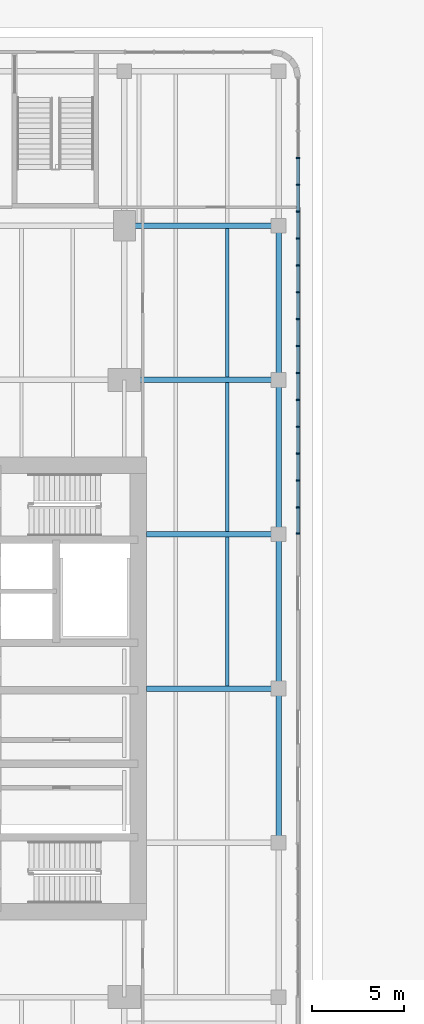
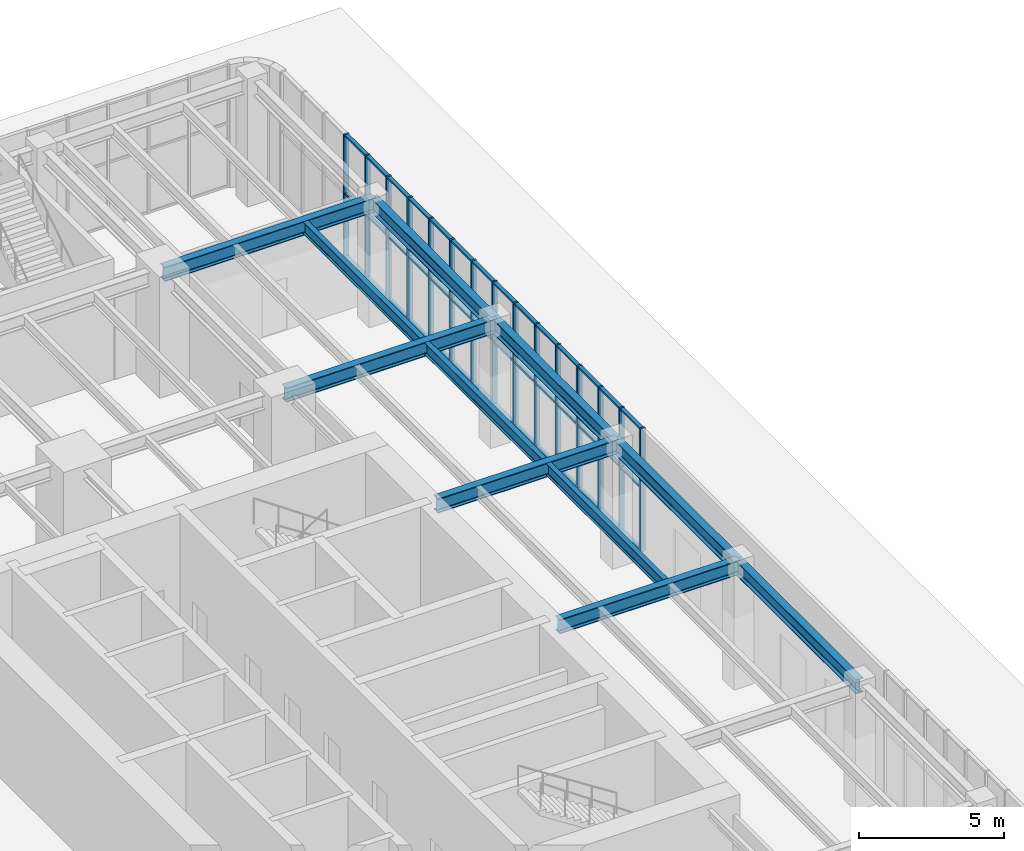
# One storey, part 10 of 31: 57 members, 11 beams, 1 element without a shape of its own.
"""IFC4 building model written with IfcOpenShell, lengths in metres."""

import ifcopenshell
import ifcopenshell.guid

model = None  # the IFC model being written
_history = None  # IfcOwnerHistory: only IFC2X3 demands one
_inside = {}  # id of a spatial element -> (the spatial element, [elements in it])
_under = {}  # id of a project, library or spatial element -> (it, [spatial elements below it])
_declared = {}  # id of a project -> (the project, [libraries it declares])
_typed = {}  # id of a type object -> (the type object, [elements of that type])
_made_of = {}  # id of a material, layer set ... -> (it, [elements and type objects made of it])


def new_model(schema):
    """Start an empty IFC model of exactly this schema.

    Asked for "IFC4X3", IfcOpenShell would pick the latest addendum, in which some entities
    have other attributes; the version numbers below select the first issue.
    IFC2X3 requires an IfcOwnerHistory on every rooted entity: one is made here for all.
    """
    global model, _history
    if schema == "IFC4X3":
        model = ifcopenshell.file(schema_version=(4, 3, 0, 0))
    else:
        model = ifcopenshell.file(schema=schema)
    _inside.clear()
    _under.clear()
    _declared.clear()
    _typed.clear()
    _made_of.clear()
    _history = None
    if model.schema == "IFC2X3":
        org = make("IfcOrganization", Name="unknown")
        user = make(
            "IfcPersonAndOrganization",
            ThePerson=make("IfcPerson", FamilyName="unknown"),
            TheOrganization=org,
        )
        app = make(
            "IfcApplication",
            ApplicationDeveloper=org,
            Version="unknown",
            ApplicationFullName="unknown",
            ApplicationIdentifier="unknown",
        )
        _history = make(
            "IfcOwnerHistory",
            OwningUser=user,
            OwningApplication=app,
            ChangeAction="ADDED",
            CreationDate=0,
        )
    return model


def make(cls, **values):
    """One entity of the class cls with the attributes given. An attribute that is None is left unset."""
    return model.create_entity(
        cls, **{name: value for name, value in values.items() if value is not None}
    )


def rooted(cls, **values):
    """An entity with a GlobalId (a new one), such as an element, a storey or a relation."""
    return make(cls, GlobalId=ifcopenshell.guid.new(), OwnerHistory=_history, **values)


def si_unit(unit_type, name, prefix=None):
    """IfcSIUnit, for example si_unit("LENGTHUNIT", "METRE", prefix="MILLI")."""
    return make("IfcSIUnit", UnitType=unit_type, Prefix=prefix, Name=name)


def assignment(units):
    """IfcUnitAssignment: the units of a project."""
    return None if units is None else make("IfcUnitAssignment", Units=units)


def point(xyz):
    """IfcCartesianPoint."""
    return None if xyz is None else make("IfcCartesianPoint", Coordinates=xyz)


def direction(xyz):
    """IfcDirection."""
    return None if xyz is None else make("IfcDirection", DirectionRatios=xyz)


def frame(location, z_axis=None, x_axis=None):
    """IfcAxis2Placement3D, a coordinate frame: its origin and axes. An axis left out is left unset."""
    return make(
        "IfcAxis2Placement3D",
        Location=point(location),
        Axis=direction(z_axis),
        RefDirection=direction(x_axis),
    )


def frame_2d(location, x_axis=None):
    """IfcAxis2Placement2D, a coordinate frame in the plane: its origin and x axis."""
    return make(
        "IfcAxis2Placement2D", Location=point(location), RefDirection=direction(x_axis)
    )


def origin():
    """The frame at (0, 0, 0) with its axes left unset."""
    return frame((0.0, 0.0, 0.0))


def origin_2d():
    """The frame at (0, 0) in the plane with its x axis left unset."""
    return frame_2d((0.0, 0.0))


def place(relative_to, where):
    """IfcLocalPlacement: puts the frame where relative to a parent placement (None: the world)."""
    return make(
        "IfcLocalPlacement", PlacementRelTo=relative_to, RelativePlacement=where
    )


def context(
    kind, dimensions, precision=None, world=None, true_north=None, identifier=None
):
    """IfcGeometricRepresentationContext, for example the 3D "Model" context."""
    return make(
        "IfcGeometricRepresentationContext",
        ContextIdentifier=identifier,
        ContextType=kind,
        CoordinateSpaceDimension=dimensions,
        Precision=precision,
        WorldCoordinateSystem=world,
        TrueNorth=true_north,
    )


def subcontext(parent, identifier, kind, view, scale=None):
    """IfcGeometricRepresentationSubContext, for example "Body" below "Model"."""
    return make(
        "IfcGeometricRepresentationSubContext",
        ContextIdentifier=identifier,
        ContextType=kind,
        ParentContext=parent,
        TargetScale=scale,
        TargetView=view,
    )


def project(units=None, contexts=None):
    """IfcProject with its units and contexts."""
    return rooted(
        "IfcProject",
        Name="project",
        RepresentationContexts=contexts,
        UnitsInContext=assignment(units),
    )


def spatial(cls, under=None, at=None, **own):
    """A site, building, storey or space (cls), placed at a placement, below another one or the project."""
    s = rooted(cls, ObjectPlacement=at, **own)
    if under is not None:
        _under.setdefault(under.id(), (under, []))[1].append(s)
    return s


def profile(cls, at=None, kind="AREA", **sizes):
    """A parametric profile (cls). Its sizes go by their IFC names, for example OverallWidth=200.0."""
    return make(cls, ProfileType=kind, Position=at, **sizes)


def rectangle(**sizes):
    """IfcRectangleProfileDef."""
    return profile("IfcRectangleProfileDef", **sizes)


def i_section(**sizes):
    """IfcIShapeProfileDef."""
    return profile("IfcIShapeProfileDef", **sizes)


def extrude(swept, where, along, depth):
    """IfcExtrudedAreaSolid: the profile swept, set in the frame where, extruded along a direction by depth."""
    return make(
        "IfcExtrudedAreaSolid",
        SweptArea=swept,
        Position=where,
        ExtrudedDirection=direction(along),
        Depth=depth,
    )


def shape(context_of_items, identifier, shape_type, items):
    """IfcShapeRepresentation: the items that make up one representation, for example the "Body"."""
    return make(
        "IfcShapeRepresentation",
        ContextOfItems=context_of_items,
        RepresentationIdentifier=identifier,
        RepresentationType=shape_type,
        Items=items,
    )


def material(Name=None, Category=None):
    """IfcMaterial."""
    return make("IfcMaterial", Name=Name, Category=Category)


def material_profile(
    of_material, cross_section, Name=None, Category=None, Priority=None
):
    """IfcMaterialProfile: a cross section and its material."""
    return make(
        "IfcMaterialProfile",
        Name=Name,
        Material=of_material,
        Profile=cross_section,
        Priority=Priority,
        Category=Category,
    )


def profile_set(profiles, Name=None, composite=None):
    """IfcMaterialProfileSet."""
    return make(
        "IfcMaterialProfileSet",
        Name=Name,
        MaterialProfiles=profiles,
        CompositeProfile=composite,
    )


def made_of(thing, what):
    """Note that an element or type object is made of a material, layer set ...; save() writes the relation."""
    if what is not None:
        _made_of.setdefault(what.id(), (what, []))[1].append(thing)
    return thing


def type_object(cls, material=None, **own):
    """A type object (cls), such as IfcWallType, which elements share."""
    return made_of(rooted(cls, **own), material)


def element(
    cls,
    number,
    at=None,
    inside=None,
    cuts=None,
    type_object=None,
    material=None,
    context=None,
    identifier="Body",
    shape_type=None,
    held_by="IfcProductDefinitionShape",
    body=None,
    shapes=None,
    **own,
):
    """One element of the class cls, such as IfcWall. Its Tag is "e" and its number.

    at: its placement. inside: the storey or other place that contains it. cuts: it is an
    opening in that element (IfcRelVoidsElement). A single representation is given by context,
    identifier, shape_type and body (its items); several are given by shapes. held_by: the class
    of the entity that holds the representations. save() writes the other relations.
    """
    e = rooted(cls, Tag="e%d" % number, ObjectPlacement=at, **own)
    if body is not None:
        shapes = [shape(context, identifier, shape_type, body)]
    if shapes is not None:
        e.Representation = make(held_by, Representations=shapes)
    if inside is not None:
        _inside.setdefault(inside.id(), (inside, []))[1].append(e)
    if cuts is not None:
        rooted(
            "IfcRelVoidsElement", RelatingBuildingElement=cuts, RelatedOpeningElement=e
        )
    if type_object is not None:
        _typed.setdefault(type_object.id(), (type_object, []))[1].append(e)
    return made_of(e, material)


def aggregate(whole, parts):
    """IfcRelAggregates: a whole, such as a stair, and the parts it consists of."""
    return rooted("IfcRelAggregates", RelatingObject=whole, RelatedObjects=parts)


def save(model, path):
    """Write the relations noted so far, then the file.

    IfcRelAggregates (storeys below a building ...), IfcRelContainedInSpatialStructure (elements
    in a storey), IfcRelDefinesByType, IfcRelAssociatesMaterial and IfcRelDeclares: one each for
    every whole, place, type object, material and project.
    """
    for whole, parts in _under.values():
        aggregate(whole, parts)
    for where, things in _inside.values():
        rooted(
            "IfcRelContainedInSpatialStructure",
            RelatedElements=things,
            RelatingStructure=where,
        )
    for kind, things in _typed.values():
        rooted("IfcRelDefinesByType", RelatedObjects=things, RelatingType=kind)
    for what, things in _made_of.values():
        rooted("IfcRelAssociatesMaterial", RelatedObjects=things, RelatingMaterial=what)
    for by, libraries in _declared.values():
        rooted("IfcRelDeclares", RelatingContext=by, RelatedDefinitions=libraries)
    model.write(path)


model = new_model("IFC4")

# Units and contexts
model_context = context("Model", 3, precision=1e-05, world=origin(), true_north=direction((0.0, 1.0)))
body_context = subcontext(model_context, "Body", "Model", "MODEL_VIEW")
ifc_project = project(units=[si_unit("LENGTHUNIT", "METRE"), si_unit("AREAUNIT", "SQUARE_METRE"), si_unit("VOLUMEUNIT", "CUBIC_METRE"), si_unit("PLANEANGLEUNIT", "RADIAN"), si_unit("MASSUNIT", "GRAM", prefix="KILO")], contexts=[model_context])

# Site, building, storey
site_placement = place(None, origin())
site = spatial("IfcSite", under=ifc_project, at=site_placement, CompositionType="ELEMENT")
building_placement = place(site_placement, origin())
building = spatial("IfcBuilding", under=site, at=building_placement, Name="Claustro Exchange Tower", CompositionType="ELEMENT")
storey_placement = place(building_placement, origin())
storey = spatial("IfcBuildingStorey", under=building, at=storey_placement, Name="L00", CompositionType="ELEMENT", Elevation=0.0)

# Beams
ifc_material_1 = material(Name="Steel S355", Category="steel")
ifc_material_profile_1 = material_profile(ifc_material_1, i_section(OverallWidth=0.300048828125, OverallDepth=0.60009765625, WebThickness=0.015380859375, FlangeThickness=0.030029296875, FilletRadius=0.027099609375, at=origin_2d()), Name="HE 600 B")
ifc_profile_set_1 = profile_set([ifc_material_profile_1], Name="Steel S355")
beam_type_1 = type_object("IfcBeamType", Name="B1 HE 600 B floor girder", PredefinedType="BEAM", material=ifc_profile_set_1)
beam_1_placement = place(storey_placement, frame((58.800048828125, 16.800048828125, 4.89990234375), z_axis=(0.0, 1.0, 0.0), x_axis=(-1.0, 0.0, 0.0)))
element("IfcBeam", 1, at=beam_1_placement, inside=storey, type_object=beam_type_1, Name="Beam B1 L01", PredefinedType="BEAM", context=body_context, shape_type="SweptSolid", body=[
    extrude(i_section(OverallWidth=0.300048828125, OverallDepth=0.60009765625, WebThickness=0.015380859375, FlangeThickness=0.030029296875, FilletRadius=0.027099609375, at=origin_2d()), origin(), (0.0, 0.0, 1.0), 8.39990234375),
])
beam_2_placement = place(storey_placement, frame((58.800048828125, 25.199951171875, 4.89990234375), z_axis=(0.0, 1.0, 0.0), x_axis=(-1.0, 0.0, 0.0)))
element("IfcBeam", 2, at=beam_2_placement, inside=storey, type_object=beam_type_1, Name="Beam B1 L01", PredefinedType="BEAM", context=body_context, shape_type="SweptSolid", body=[
    extrude(i_section(OverallWidth=0.300048828125, OverallDepth=0.60009765625, WebThickness=0.015380859375, FlangeThickness=0.030029296875, FilletRadius=0.027099609375, at=origin_2d()), origin(), (0.0, 0.0, 1.0), 8.400146484375),
])
for number, where, z_axis, x_axis, name in (
    (3, (58.800048828125, 33.60009765625, 4.89990234375), (0.0, 1.0, 0.0), (-1.0, 0.0, 0.0), "Beam B1 L01"),
    (4, (58.800048828125, 42.0, 4.89990234375), (0.0, 1.0, 0.0), (-1.0, 0.0, 0.0), "Beam B1 L01"),
):
    element("IfcBeam", number, at=place(storey_placement, frame(where, z_axis=z_axis, x_axis=x_axis)), inside=storey, type_object=beam_type_1, Name=name, PredefinedType="BEAM", context=body_context, shape_type="SweptSolid", body=[
        extrude(i_section(OverallWidth=0.300048828125, OverallDepth=0.60009765625, WebThickness=0.015380859375, FlangeThickness=0.030029296875, FilletRadius=0.027099609375, at=origin_2d()), origin(), (0.0, 0.0, 1.0), 8.39990234375),
    ])
for number, where, z_axis, x_axis, name in (
    (5, (51.60009765625, 25.199951171875, 4.89990234375), (1.0, 0.0, 0.0), (0.0, 1.0, 0.0), "Beam B1 L01"),
    (6, (51.60009765625, 33.60009765625, 4.89990234375), (1.0, 0.0, 0.0), (0.0, 1.0, 0.0), "Beam B1 L01"),
):
    element("IfcBeam", number, at=place(storey_placement, frame(where, z_axis=z_axis, x_axis=x_axis)), inside=storey, type_object=beam_type_1, Name=name, PredefinedType="BEAM", context=body_context, shape_type="SweptSolid", body=[
        extrude(i_section(OverallWidth=0.300048828125, OverallDepth=0.60009765625, WebThickness=0.015380859375, FlangeThickness=0.030029296875, FilletRadius=0.027099609375, at=origin_2d()), origin(), (0.0, 0.0, 1.0), 7.199951171875),
    ])
for number, where, z_axis, x_axis, name in (
    (7, (50.39990234375, 42.0, 4.89990234375), (1.0, 0.0, 0.0), (0.0, 1.0, 0.0), "Beam B1 L01"),
    (8, (50.39990234375, 50.39990234375, 4.89990234375), (1.0, 0.0, 0.0), (0.0, 1.0, 0.0), "Beam B1 L01"),
):
    element("IfcBeam", number, at=place(storey_placement, frame(where, z_axis=z_axis, x_axis=x_axis)), inside=storey, type_object=beam_type_1, Name=name, PredefinedType="BEAM", context=body_context, shape_type="SweptSolid", body=[
        extrude(i_section(OverallWidth=0.300048828125, OverallDepth=0.60009765625, WebThickness=0.015380859375, FlangeThickness=0.030029296875, FilletRadius=0.027099609375, at=origin_2d()), origin(), (0.0, 0.0, 1.0), 8.400146484375),
    ])
ifc_material_2 = material(Name="Steel S355", Category="steel")
ifc_material_profile_2 = material_profile(ifc_material_2, i_section(OverallWidth=0.199951171875, OverallDepth=0.5, WebThickness=0.01025390625, FlangeThickness=0.01611328125, FilletRadius=0.02099609375, at=origin_2d()), Name="IPE 500")
ifc_profile_set_2 = profile_set([ifc_material_profile_2], Name="Steel S355")
beam_type_2 = type_object("IfcBeamType", Name="B2 IPE 500 secondary beam", PredefinedType="BEAM", material=ifc_profile_set_2)
beam_3_placement = place(storey_placement, frame((56.0, 25.35009765625, 4.949951171875), z_axis=(0.0, 1.0, 0.0), x_axis=(-1.0, 0.0, 0.0)))
element("IfcBeam", 9, at=beam_3_placement, inside=storey, type_object=beam_type_2, Name="Beam B2 L01", PredefinedType="BEAM", context=body_context, shape_type="SweptSolid", body=[
    extrude(i_section(OverallWidth=0.199951171875, OverallDepth=0.5, WebThickness=0.01025390625, FlangeThickness=0.01611328125, FilletRadius=0.02099609375, at=origin_2d()), origin(), (0.0, 0.0, 1.0), 8.099853515625),
])
for number, where, z_axis, x_axis, name in (
    (10, (56.0, 33.75, 4.949951171875), (0.0, 1.0, 0.0), (-1.0, 0.0, 0.0), "Beam B2 L01"),
    (11, (56.0, 42.14990234375, 4.949951171875), (0.0, 1.0, 0.0), (-1.0, 0.0, 0.0), "Beam B2 L01"),
):
    element("IfcBeam", number, at=place(storey_placement, frame(where, z_axis=z_axis, x_axis=x_axis)), inside=storey, type_object=beam_type_2, Name=name, PredefinedType="BEAM", context=body_context, shape_type="SweptSolid", body=[
        extrude(i_section(OverallWidth=0.199951171875, OverallDepth=0.5, WebThickness=0.01025390625, FlangeThickness=0.01611328125, FilletRadius=0.02099609375, at=origin_2d()), origin(), (0.0, 0.0, 1.0), 8.10009765625),
    ])

# Curtain wall, members
ifc_material_3 = material(Name="Aluminium frame, clear double glazing", Category="aluminium")
curtain_wall_type = type_object("IfcCurtainWallType", Name="CW1 storefront curtain wall", PredefinedType="USERDEFINED", material=ifc_material_3)
curtain_wall_placement = place(storey_placement, origin())
curtain_wall = element("IfcCurtainWall", 12, at=curtain_wall_placement, inside=storey, type_object=curtain_wall_type, Name="Curtain wall CW1 L00", ObjectType="STICK CURTAIN WALL", PredefinedType="USERDEFINED")
ifc_material_4 = material(Name="Aluminium mullion", Category="aluminium")
ifc_material_profile_3 = material_profile(ifc_material_4, rectangle(XDim=0.199951171875, YDim=0.074951171875, at=origin_2d()), Name="CW1-M 75x200")
ifc_profile_set_3 = profile_set([ifc_material_profile_3], Name="Aluminium mullion")
member_type_1 = type_object("IfcMemberType", Name="CW1-M 75 x 200 mullion", PredefinedType="MULLION", material=ifc_profile_set_3)
member_1_placement = place(storey_placement, frame((59.85009765625, 33.637451171875, 0.0), z_axis=(0.0, 0.0, 1.0), x_axis=(-1.0, 0.0, 0.0)))
member_1 = element("IfcMember", 13, at=member_1_placement, type_object=member_type_1, Name="CW1 mullion 1", PredefinedType="MULLION", context=body_context, shape_type="SweptSolid", body=[
    extrude(rectangle(XDim=0.199951171875, YDim=0.074951171875, at=origin_2d()), origin(), (0.0, 0.0, 1.0), 5.199951171875),
])
member_2_placement = place(storey_placement, frame((59.85009765625, 35.063720703125, 0.0), z_axis=(0.0, 0.0, 1.0), x_axis=(-1.0, 0.0, 0.0)))
member_2 = element("IfcMember", 14, at=member_2_placement, type_object=member_type_1, Name="CW1 mullion 2", PredefinedType="MULLION", context=body_context, shape_type="SweptSolid", body=[
    extrude(rectangle(XDim=0.199951171875, YDim=0.074951171875, at=origin_2d()), origin(), (0.0, 0.0, 1.0), 5.199951171875),
])
member_3_placement = place(storey_placement, frame((59.85009765625, 36.527587890625, 0.0), z_axis=(0.0, 0.0, 1.0), x_axis=(-1.0, 0.0, 0.0)))
member_3 = element("IfcMember", 15, at=member_3_placement, type_object=member_type_1, Name="CW1 mullion 3", PredefinedType="MULLION", context=body_context, shape_type="SweptSolid", body=[
    extrude(rectangle(XDim=0.199951171875, YDim=0.074951171875, at=origin_2d()), origin(), (0.0, 0.0, 1.0), 5.199951171875),
])
member_4_placement = place(storey_placement, frame((59.85009765625, 37.991455078125, 0.0), z_axis=(0.0, 0.0, 1.0), x_axis=(-1.0, 0.0, 0.0)))
member_4 = element("IfcMember", 16, at=member_4_placement, type_object=member_type_1, Name="CW1 mullion 4", PredefinedType="MULLION", context=body_context, shape_type="SweptSolid", body=[
    extrude(rectangle(XDim=0.199951171875, YDim=0.074951171875, at=origin_2d()), origin(), (0.0, 0.0, 1.0), 5.199951171875),
])
member_5_placement = place(storey_placement, frame((59.85009765625, 39.455322265625, 0.0), z_axis=(0.0, 0.0, 1.0), x_axis=(-1.0, 0.0, 0.0)))
member_5 = element("IfcMember", 17, at=member_5_placement, type_object=member_type_1, Name="CW1 mullion 5", PredefinedType="MULLION", context=body_context, shape_type="SweptSolid", body=[
    extrude(rectangle(XDim=0.199951171875, YDim=0.074951171875, at=origin_2d()), origin(), (0.0, 0.0, 1.0), 5.199951171875),
])
member_6_placement = place(storey_placement, frame((59.85009765625, 40.919189453125, 0.0), z_axis=(0.0, 0.0, 1.0), x_axis=(-1.0, 0.0, 0.0)))
member_6 = element("IfcMember", 18, at=member_6_placement, type_object=member_type_1, Name="CW1 mullion 6", PredefinedType="MULLION", context=body_context, shape_type="SweptSolid", body=[
    extrude(rectangle(XDim=0.199951171875, YDim=0.074951171875, at=origin_2d()), origin(), (0.0, 0.0, 1.0), 5.199951171875),
])
member_7_placement = place(storey_placement, frame((59.85009765625, 42.383056640625, 0.0), z_axis=(0.0, 0.0, 1.0), x_axis=(-1.0, 0.0, 0.0)))
member_7 = element("IfcMember", 19, at=member_7_placement, type_object=member_type_1, Name="CW1 mullion 7", PredefinedType="MULLION", context=body_context, shape_type="SweptSolid", body=[
    extrude(rectangle(XDim=0.199951171875, YDim=0.074951171875, at=origin_2d()), origin(), (0.0, 0.0, 1.0), 5.199951171875),
])
member_8_placement = place(storey_placement, frame((59.85009765625, 43.846923828125, 0.0), z_axis=(0.0, 0.0, 1.0), x_axis=(-1.0, 0.0, 0.0)))
member_8 = element("IfcMember", 20, at=member_8_placement, type_object=member_type_1, Name="CW1 mullion 8", PredefinedType="MULLION", context=body_context, shape_type="SweptSolid", body=[
    extrude(rectangle(XDim=0.199951171875, YDim=0.074951171875, at=origin_2d()), origin(), (0.0, 0.0, 1.0), 5.199951171875),
])
member_9_placement = place(storey_placement, frame((59.85009765625, 45.310791015625, 0.0), z_axis=(0.0, 0.0, 1.0), x_axis=(-1.0, 0.0, 0.0)))
member_9 = element("IfcMember", 21, at=member_9_placement, type_object=member_type_1, Name="CW1 mullion 9", PredefinedType="MULLION", context=body_context, shape_type="SweptSolid", body=[
    extrude(rectangle(XDim=0.199951171875, YDim=0.074951171875, at=origin_2d()), origin(), (0.0, 0.0, 1.0), 5.199951171875),
])
member_10_placement = place(storey_placement, frame((59.85009765625, 46.7744140625, 0.0), z_axis=(0.0, 0.0, 1.0), x_axis=(-1.0, 0.0, 0.0)))
member_10 = element("IfcMember", 22, at=member_10_placement, type_object=member_type_1, Name="CW1 mullion 10", PredefinedType="MULLION", context=body_context, shape_type="SweptSolid", body=[
    extrude(rectangle(XDim=0.199951171875, YDim=0.074951171875, at=origin_2d()), origin(), (0.0, 0.0, 1.0), 5.199951171875),
])
member_11_placement = place(storey_placement, frame((59.85009765625, 48.23828125, 0.0), z_axis=(0.0, 0.0, 1.0), x_axis=(-1.0, 0.0, 0.0)))
member_11 = element("IfcMember", 23, at=member_11_placement, type_object=member_type_1, Name="CW1 mullion 11", PredefinedType="MULLION", context=body_context, shape_type="SweptSolid", body=[
    extrude(rectangle(XDim=0.199951171875, YDim=0.074951171875, at=origin_2d()), origin(), (0.0, 0.0, 1.0), 5.199951171875),
])
member_12_placement = place(storey_placement, frame((59.85009765625, 49.7021484375, 0.0), z_axis=(0.0, 0.0, 1.0), x_axis=(-1.0, 0.0, 0.0)))
member_12 = element("IfcMember", 24, at=member_12_placement, type_object=member_type_1, Name="CW1 mullion 12", PredefinedType="MULLION", context=body_context, shape_type="SweptSolid", body=[
    extrude(rectangle(XDim=0.199951171875, YDim=0.074951171875, at=origin_2d()), origin(), (0.0, 0.0, 1.0), 5.199951171875),
])
member_13_placement = place(storey_placement, frame((59.85009765625, 51.166015625, 0.0), z_axis=(0.0, 0.0, 1.0), x_axis=(-1.0, 0.0, 0.0)))
member_13 = element("IfcMember", 25, at=member_13_placement, type_object=member_type_1, Name="CW1 mullion 13", PredefinedType="MULLION", context=body_context, shape_type="SweptSolid", body=[
    extrude(rectangle(XDim=0.199951171875, YDim=0.074951171875, at=origin_2d()), origin(), (0.0, 0.0, 1.0), 5.199951171875),
])
member_14_placement = place(storey_placement, frame((59.85009765625, 52.6298828125, 0.0), z_axis=(0.0, 0.0, 1.0), x_axis=(-1.0, 0.0, 0.0)))
member_14 = element("IfcMember", 26, at=member_14_placement, type_object=member_type_1, Name="CW1 mullion 14", PredefinedType="MULLION", context=body_context, shape_type="SweptSolid", body=[
    extrude(rectangle(XDim=0.199951171875, YDim=0.074951171875, at=origin_2d()), origin(), (0.0, 0.0, 1.0), 5.199951171875),
])
member_15_placement = place(storey_placement, frame((59.85009765625, 54.09375, 0.0), z_axis=(0.0, 0.0, 1.0), x_axis=(-1.0, 0.0, 0.0)))
member_15 = element("IfcMember", 27, at=member_15_placement, type_object=member_type_1, Name="CW1 mullion 15", PredefinedType="MULLION", context=body_context, shape_type="SweptSolid", body=[
    extrude(rectangle(XDim=0.199951171875, YDim=0.074951171875, at=origin_2d()), origin(), (0.0, 0.0, 1.0), 5.199951171875),
])
ifc_material_5 = material(Name="Aluminium transom", Category="aluminium")
ifc_material_profile_4 = material_profile(ifc_material_5, rectangle(XDim=0.14990234375, YDim=0.074951171875, at=origin_2d()), Name="CW1-T 75x150")
ifc_profile_set_4 = profile_set([ifc_material_profile_4], Name="Aluminium transom")
member_type_2 = type_object("IfcMemberType", Name="CW1-T 75 x 150 transom", PredefinedType="USERDEFINED", material=ifc_profile_set_4)
member_16_placement = place(storey_placement, frame((59.85009765625, 33.675048828125, 0.03759765625), z_axis=(0.0, 1.0, 0.0), x_axis=(-1.0, 0.0, 0.0)))
member_16 = element("IfcMember", 28, at=member_16_placement, type_object=member_type_2, Name="CW1 transom 1.1", ObjectType="TRANSOM", PredefinedType="USERDEFINED", context=body_context, shape_type="SweptSolid", body=[
    extrude(rectangle(XDim=0.14990234375, YDim=0.074951171875, at=origin_2d()), origin(), (0.0, 0.0, 1.0), 1.351318359375),
])
member_17_placement = place(storey_placement, frame((59.85009765625, 33.675048828125, 2.699951171875), z_axis=(0.0, 1.0, 0.0), x_axis=(-1.0, 0.0, 0.0)))
member_17 = element("IfcMember", 29, at=member_17_placement, type_object=member_type_2, Name="CW1 transom 1.2", ObjectType="TRANSOM", PredefinedType="USERDEFINED", context=body_context, shape_type="SweptSolid", body=[
    extrude(rectangle(XDim=0.14990234375, YDim=0.074951171875, at=origin_2d()), origin(), (0.0, 0.0, 1.0), 1.351318359375),
])
member_18_placement = place(storey_placement, frame((59.85009765625, 33.675048828125, 5.16259765625), z_axis=(0.0, 1.0, 0.0), x_axis=(-1.0, 0.0, 0.0)))
member_18 = element("IfcMember", 30, at=member_18_placement, type_object=member_type_2, Name="CW1 transom 1.3", ObjectType="TRANSOM", PredefinedType="USERDEFINED", context=body_context, shape_type="SweptSolid", body=[
    extrude(rectangle(XDim=0.14990234375, YDim=0.074951171875, at=origin_2d()), origin(), (0.0, 0.0, 1.0), 1.351318359375),
])
member_19_placement = place(storey_placement, frame((59.85009765625, 35.101318359375, 0.03759765625), z_axis=(0.0, 1.0, 0.0), x_axis=(-1.0, 0.0, 0.0)))
member_19 = element("IfcMember", 31, at=member_19_placement, type_object=member_type_2, Name="CW1 transom 2.1", ObjectType="TRANSOM", PredefinedType="USERDEFINED", context=body_context, shape_type="SweptSolid", body=[
    extrude(rectangle(XDim=0.14990234375, YDim=0.074951171875, at=origin_2d()), origin(), (0.0, 0.0, 1.0), 1.388916015625),
])
member_20_placement = place(storey_placement, frame((59.85009765625, 35.101318359375, 2.699951171875), z_axis=(0.0, 1.0, 0.0), x_axis=(-1.0, 0.0, 0.0)))
member_20 = element("IfcMember", 32, at=member_20_placement, type_object=member_type_2, Name="CW1 transom 2.2", ObjectType="TRANSOM", PredefinedType="USERDEFINED", context=body_context, shape_type="SweptSolid", body=[
    extrude(rectangle(XDim=0.14990234375, YDim=0.074951171875, at=origin_2d()), origin(), (0.0, 0.0, 1.0), 1.388916015625),
])
member_21_placement = place(storey_placement, frame((59.85009765625, 35.101318359375, 5.16259765625), z_axis=(0.0, 1.0, 0.0), x_axis=(-1.0, 0.0, 0.0)))
member_21 = element("IfcMember", 33, at=member_21_placement, type_object=member_type_2, Name="CW1 transom 2.3", ObjectType="TRANSOM", PredefinedType="USERDEFINED", context=body_context, shape_type="SweptSolid", body=[
    extrude(rectangle(XDim=0.14990234375, YDim=0.074951171875, at=origin_2d()), origin(), (0.0, 0.0, 1.0), 1.388916015625),
])
member_22_placement = place(storey_placement, frame((59.85009765625, 36.565185546875, 0.03759765625), z_axis=(0.0, 1.0, 0.0), x_axis=(-1.0, 0.0, 0.0)))
member_22 = element("IfcMember", 34, at=member_22_placement, type_object=member_type_2, Name="CW1 transom 3.1", ObjectType="TRANSOM", PredefinedType="USERDEFINED", context=body_context, shape_type="SweptSolid", body=[
    extrude(rectangle(XDim=0.14990234375, YDim=0.074951171875, at=origin_2d()), origin(), (0.0, 0.0, 1.0), 1.388916015625),
])
member_23_placement = place(storey_placement, frame((59.85009765625, 36.565185546875, 2.699951171875), z_axis=(0.0, 1.0, 0.0), x_axis=(-1.0, 0.0, 0.0)))
member_23 = element("IfcMember", 35, at=member_23_placement, type_object=member_type_2, Name="CW1 transom 3.2", ObjectType="TRANSOM", PredefinedType="USERDEFINED", context=body_context, shape_type="SweptSolid", body=[
    extrude(rectangle(XDim=0.14990234375, YDim=0.074951171875, at=origin_2d()), origin(), (0.0, 0.0, 1.0), 1.388916015625),
])
member_24_placement = place(storey_placement, frame((59.85009765625, 36.565185546875, 5.16259765625), z_axis=(0.0, 1.0, 0.0), x_axis=(-1.0, 0.0, 0.0)))
member_24 = element("IfcMember", 36, at=member_24_placement, type_object=member_type_2, Name="CW1 transom 3.3", ObjectType="TRANSOM", PredefinedType="USERDEFINED", context=body_context, shape_type="SweptSolid", body=[
    extrude(rectangle(XDim=0.14990234375, YDim=0.074951171875, at=origin_2d()), origin(), (0.0, 0.0, 1.0), 1.388916015625),
])
member_25_placement = place(storey_placement, frame((59.85009765625, 38.029052734375, 0.03759765625), z_axis=(0.0, 1.0, 0.0), x_axis=(-1.0, 0.0, 0.0)))
member_25 = element("IfcMember", 37, at=member_25_placement, type_object=member_type_2, Name="CW1 transom 4.1", ObjectType="TRANSOM", PredefinedType="USERDEFINED", context=body_context, shape_type="SweptSolid", body=[
    extrude(rectangle(XDim=0.14990234375, YDim=0.074951171875, at=origin_2d()), origin(), (0.0, 0.0, 1.0), 1.388671875),
])
member_26_placement = place(storey_placement, frame((59.85009765625, 38.029052734375, 2.699951171875), z_axis=(0.0, 1.0, 0.0), x_axis=(-1.0, 0.0, 0.0)))
member_26 = element("IfcMember", 38, at=member_26_placement, type_object=member_type_2, Name="CW1 transom 4.2", ObjectType="TRANSOM", PredefinedType="USERDEFINED", context=body_context, shape_type="SweptSolid", body=[
    extrude(rectangle(XDim=0.14990234375, YDim=0.074951171875, at=origin_2d()), origin(), (0.0, 0.0, 1.0), 1.388671875),
])
member_27_placement = place(storey_placement, frame((59.85009765625, 38.029052734375, 5.16259765625), z_axis=(0.0, 1.0, 0.0), x_axis=(-1.0, 0.0, 0.0)))
member_27 = element("IfcMember", 39, at=member_27_placement, type_object=member_type_2, Name="CW1 transom 4.3", ObjectType="TRANSOM", PredefinedType="USERDEFINED", context=body_context, shape_type="SweptSolid", body=[
    extrude(rectangle(XDim=0.14990234375, YDim=0.074951171875, at=origin_2d()), origin(), (0.0, 0.0, 1.0), 1.388671875),
])
member_28_placement = place(storey_placement, frame((59.85009765625, 39.492919921875, 0.03759765625), z_axis=(0.0, 1.0, 0.0), x_axis=(-1.0, 0.0, 0.0)))
member_28 = element("IfcMember", 40, at=member_28_placement, type_object=member_type_2, Name="CW1 transom 5.1", ObjectType="TRANSOM", PredefinedType="USERDEFINED", context=body_context, shape_type="SweptSolid", body=[
    extrude(rectangle(XDim=0.14990234375, YDim=0.074951171875, at=origin_2d()), origin(), (0.0, 0.0, 1.0), 1.388671875),
])
member_29_placement = place(storey_placement, frame((59.85009765625, 39.492919921875, 2.699951171875), z_axis=(0.0, 1.0, 0.0), x_axis=(-1.0, 0.0, 0.0)))
member_29 = element("IfcMember", 41, at=member_29_placement, type_object=member_type_2, Name="CW1 transom 5.2", ObjectType="TRANSOM", PredefinedType="USERDEFINED", context=body_context, shape_type="SweptSolid", body=[
    extrude(rectangle(XDim=0.14990234375, YDim=0.074951171875, at=origin_2d()), origin(), (0.0, 0.0, 1.0), 1.388671875),
])
member_30_placement = place(storey_placement, frame((59.85009765625, 39.492919921875, 5.16259765625), z_axis=(0.0, 1.0, 0.0), x_axis=(-1.0, 0.0, 0.0)))
member_30 = element("IfcMember", 42, at=member_30_placement, type_object=member_type_2, Name="CW1 transom 5.3", ObjectType="TRANSOM", PredefinedType="USERDEFINED", context=body_context, shape_type="SweptSolid", body=[
    extrude(rectangle(XDim=0.14990234375, YDim=0.074951171875, at=origin_2d()), origin(), (0.0, 0.0, 1.0), 1.388671875),
])
member_31_placement = place(storey_placement, frame((59.85009765625, 40.956787109375, 0.03759765625), z_axis=(0.0, 1.0, 0.0), x_axis=(-1.0, 0.0, 0.0)))
member_31 = element("IfcMember", 43, at=member_31_placement, type_object=member_type_2, Name="CW1 transom 6.1", ObjectType="TRANSOM", PredefinedType="USERDEFINED", context=body_context, shape_type="SweptSolid", body=[
    extrude(rectangle(XDim=0.14990234375, YDim=0.074951171875, at=origin_2d()), origin(), (0.0, 0.0, 1.0), 1.388671875),
])
member_32_placement = place(storey_placement, frame((59.85009765625, 40.956787109375, 2.699951171875), z_axis=(0.0, 1.0, 0.0), x_axis=(-1.0, 0.0, 0.0)))
member_32 = element("IfcMember", 44, at=member_32_placement, type_object=member_type_2, Name="CW1 transom 6.2", ObjectType="TRANSOM", PredefinedType="USERDEFINED", context=body_context, shape_type="SweptSolid", body=[
    extrude(rectangle(XDim=0.14990234375, YDim=0.074951171875, at=origin_2d()), origin(), (0.0, 0.0, 1.0), 1.388671875),
])
member_33_placement = place(storey_placement, frame((59.85009765625, 40.956787109375, 5.16259765625), z_axis=(0.0, 1.0, 0.0), x_axis=(-1.0, 0.0, 0.0)))
member_33 = element("IfcMember", 45, at=member_33_placement, type_object=member_type_2, Name="CW1 transom 6.3", ObjectType="TRANSOM", PredefinedType="USERDEFINED", context=body_context, shape_type="SweptSolid", body=[
    extrude(rectangle(XDim=0.14990234375, YDim=0.074951171875, at=origin_2d()), origin(), (0.0, 0.0, 1.0), 1.388671875),
])
member_34_placement = place(storey_placement, frame((59.85009765625, 42.42041015625, 0.03759765625), z_axis=(0.0, 1.0, 0.0), x_axis=(-1.0, 0.0, 0.0)))
member_34 = element("IfcMember", 46, at=member_34_placement, type_object=member_type_2, Name="CW1 transom 7.1", ObjectType="TRANSOM", PredefinedType="USERDEFINED", context=body_context, shape_type="SweptSolid", body=[
    extrude(rectangle(XDim=0.14990234375, YDim=0.074951171875, at=origin_2d()), origin(), (0.0, 0.0, 1.0), 1.388916015625),
])
member_35_placement = place(storey_placement, frame((59.85009765625, 42.42041015625, 2.699951171875), z_axis=(0.0, 1.0, 0.0), x_axis=(-1.0, 0.0, 0.0)))
member_35 = element("IfcMember", 47, at=member_35_placement, type_object=member_type_2, Name="CW1 transom 7.2", ObjectType="TRANSOM", PredefinedType="USERDEFINED", context=body_context, shape_type="SweptSolid", body=[
    extrude(rectangle(XDim=0.14990234375, YDim=0.074951171875, at=origin_2d()), origin(), (0.0, 0.0, 1.0), 1.388916015625),
])
member_36_placement = place(storey_placement, frame((59.85009765625, 42.42041015625, 5.16259765625), z_axis=(0.0, 1.0, 0.0), x_axis=(-1.0, 0.0, 0.0)))
member_36 = element("IfcMember", 48, at=member_36_placement, type_object=member_type_2, Name="CW1 transom 7.3", ObjectType="TRANSOM", PredefinedType="USERDEFINED", context=body_context, shape_type="SweptSolid", body=[
    extrude(rectangle(XDim=0.14990234375, YDim=0.074951171875, at=origin_2d()), origin(), (0.0, 0.0, 1.0), 1.388916015625),
])
member_37_placement = place(storey_placement, frame((59.85009765625, 43.88427734375, 0.03759765625), z_axis=(0.0, 1.0, 0.0), x_axis=(-1.0, 0.0, 0.0)))
member_37 = element("IfcMember", 49, at=member_37_placement, type_object=member_type_2, Name="CW1 transom 8.1", ObjectType="TRANSOM", PredefinedType="USERDEFINED", context=body_context, shape_type="SweptSolid", body=[
    extrude(rectangle(XDim=0.14990234375, YDim=0.074951171875, at=origin_2d()), origin(), (0.0, 0.0, 1.0), 1.388916015625),
])
member_38_placement = place(storey_placement, frame((59.85009765625, 43.88427734375, 2.699951171875), z_axis=(0.0, 1.0, 0.0), x_axis=(-1.0, 0.0, 0.0)))
member_38 = element("IfcMember", 50, at=member_38_placement, type_object=member_type_2, Name="CW1 transom 8.2", ObjectType="TRANSOM", PredefinedType="USERDEFINED", context=body_context, shape_type="SweptSolid", body=[
    extrude(rectangle(XDim=0.14990234375, YDim=0.074951171875, at=origin_2d()), origin(), (0.0, 0.0, 1.0), 1.388916015625),
])
member_39_placement = place(storey_placement, frame((59.85009765625, 43.88427734375, 5.16259765625), z_axis=(0.0, 1.0, 0.0), x_axis=(-1.0, 0.0, 0.0)))
member_39 = element("IfcMember", 51, at=member_39_placement, type_object=member_type_2, Name="CW1 transom 8.3", ObjectType="TRANSOM", PredefinedType="USERDEFINED", context=body_context, shape_type="SweptSolid", body=[
    extrude(rectangle(XDim=0.14990234375, YDim=0.074951171875, at=origin_2d()), origin(), (0.0, 0.0, 1.0), 1.388916015625),
])
member_40_placement = place(storey_placement, frame((59.85009765625, 45.34814453125, 0.03759765625), z_axis=(0.0, 1.0, 0.0), x_axis=(-1.0, 0.0, 0.0)))
member_40 = element("IfcMember", 52, at=member_40_placement, type_object=member_type_2, Name="CW1 transom 9.1", ObjectType="TRANSOM", PredefinedType="USERDEFINED", context=body_context, shape_type="SweptSolid", body=[
    extrude(rectangle(XDim=0.14990234375, YDim=0.074951171875, at=origin_2d()), origin(), (0.0, 0.0, 1.0), 1.388916015625),
])
member_41_placement = place(storey_placement, frame((59.85009765625, 45.34814453125, 2.699951171875), z_axis=(0.0, 1.0, 0.0), x_axis=(-1.0, 0.0, 0.0)))
member_41 = element("IfcMember", 53, at=member_41_placement, type_object=member_type_2, Name="CW1 transom 9.2", ObjectType="TRANSOM", PredefinedType="USERDEFINED", context=body_context, shape_type="SweptSolid", body=[
    extrude(rectangle(XDim=0.14990234375, YDim=0.074951171875, at=origin_2d()), origin(), (0.0, 0.0, 1.0), 1.388916015625),
])
member_42_placement = place(storey_placement, frame((59.85009765625, 45.34814453125, 5.16259765625), z_axis=(0.0, 1.0, 0.0), x_axis=(-1.0, 0.0, 0.0)))
member_42 = element("IfcMember", 54, at=member_42_placement, type_object=member_type_2, Name="CW1 transom 9.3", ObjectType="TRANSOM", PredefinedType="USERDEFINED", context=body_context, shape_type="SweptSolid", body=[
    extrude(rectangle(XDim=0.14990234375, YDim=0.074951171875, at=origin_2d()), origin(), (0.0, 0.0, 1.0), 1.388916015625),
])
member_43_placement = place(storey_placement, frame((59.85009765625, 46.81201171875, 0.03759765625), z_axis=(0.0, 1.0, 0.0), x_axis=(-1.0, 0.0, 0.0)))
member_43 = element("IfcMember", 55, at=member_43_placement, type_object=member_type_2, Name="CW1 transom 10.1", ObjectType="TRANSOM", PredefinedType="USERDEFINED", context=body_context, shape_type="SweptSolid", body=[
    extrude(rectangle(XDim=0.14990234375, YDim=0.074951171875, at=origin_2d()), origin(), (0.0, 0.0, 1.0), 1.388916015625),
])
member_44_placement = place(storey_placement, frame((59.85009765625, 46.81201171875, 2.699951171875), z_axis=(0.0, 1.0, 0.0), x_axis=(-1.0, 0.0, 0.0)))
member_44 = element("IfcMember", 56, at=member_44_placement, type_object=member_type_2, Name="CW1 transom 10.2", ObjectType="TRANSOM", PredefinedType="USERDEFINED", context=body_context, shape_type="SweptSolid", body=[
    extrude(rectangle(XDim=0.14990234375, YDim=0.074951171875, at=origin_2d()), origin(), (0.0, 0.0, 1.0), 1.388916015625),
])
member_45_placement = place(storey_placement, frame((59.85009765625, 46.81201171875, 5.16259765625), z_axis=(0.0, 1.0, 0.0), x_axis=(-1.0, 0.0, 0.0)))
member_45 = element("IfcMember", 57, at=member_45_placement, type_object=member_type_2, Name="CW1 transom 10.3", ObjectType="TRANSOM", PredefinedType="USERDEFINED", context=body_context, shape_type="SweptSolid", body=[
    extrude(rectangle(XDim=0.14990234375, YDim=0.074951171875, at=origin_2d()), origin(), (0.0, 0.0, 1.0), 1.388916015625),
])
member_46_placement = place(storey_placement, frame((59.85009765625, 48.27587890625, 0.03759765625), z_axis=(0.0, 1.0, 0.0), x_axis=(-1.0, 0.0, 0.0)))
member_46 = element("IfcMember", 58, at=member_46_placement, type_object=member_type_2, Name="CW1 transom 11.1", ObjectType="TRANSOM", PredefinedType="USERDEFINED", context=body_context, shape_type="SweptSolid", body=[
    extrude(rectangle(XDim=0.14990234375, YDim=0.074951171875, at=origin_2d()), origin(), (0.0, 0.0, 1.0), 1.388916015625),
])
member_47_placement = place(storey_placement, frame((59.85009765625, 48.27587890625, 2.699951171875), z_axis=(0.0, 1.0, 0.0), x_axis=(-1.0, 0.0, 0.0)))
member_47 = element("IfcMember", 59, at=member_47_placement, type_object=member_type_2, Name="CW1 transom 11.2", ObjectType="TRANSOM", PredefinedType="USERDEFINED", context=body_context, shape_type="SweptSolid", body=[
    extrude(rectangle(XDim=0.14990234375, YDim=0.074951171875, at=origin_2d()), origin(), (0.0, 0.0, 1.0), 1.388916015625),
])
member_48_placement = place(storey_placement, frame((59.85009765625, 48.27587890625, 5.16259765625), z_axis=(0.0, 1.0, 0.0), x_axis=(-1.0, 0.0, 0.0)))
member_48 = element("IfcMember", 60, at=member_48_placement, type_object=member_type_2, Name="CW1 transom 11.3", ObjectType="TRANSOM", PredefinedType="USERDEFINED", context=body_context, shape_type="SweptSolid", body=[
    extrude(rectangle(XDim=0.14990234375, YDim=0.074951171875, at=origin_2d()), origin(), (0.0, 0.0, 1.0), 1.388916015625),
])
member_49_placement = place(storey_placement, frame((59.85009765625, 49.73974609375, 0.03759765625), z_axis=(0.0, 1.0, 0.0), x_axis=(-1.0, 0.0, 0.0)))
member_49 = element("IfcMember", 61, at=member_49_placement, type_object=member_type_2, Name="CW1 transom 12.1", ObjectType="TRANSOM", PredefinedType="USERDEFINED", context=body_context, shape_type="SweptSolid", body=[
    extrude(rectangle(XDim=0.14990234375, YDim=0.074951171875, at=origin_2d()), origin(), (0.0, 0.0, 1.0), 1.388671875),
])
member_50_placement = place(storey_placement, frame((59.85009765625, 49.73974609375, 2.699951171875), z_axis=(0.0, 1.0, 0.0), x_axis=(-1.0, 0.0, 0.0)))
member_50 = element("IfcMember", 62, at=member_50_placement, type_object=member_type_2, Name="CW1 transom 12.2", ObjectType="TRANSOM", PredefinedType="USERDEFINED", context=body_context, shape_type="SweptSolid", body=[
    extrude(rectangle(XDim=0.14990234375, YDim=0.074951171875, at=origin_2d()), origin(), (0.0, 0.0, 1.0), 1.388671875),
])
member_51_placement = place(storey_placement, frame((59.85009765625, 49.73974609375, 5.16259765625), z_axis=(0.0, 1.0, 0.0), x_axis=(-1.0, 0.0, 0.0)))
member_51 = element("IfcMember", 63, at=member_51_placement, type_object=member_type_2, Name="CW1 transom 12.3", ObjectType="TRANSOM", PredefinedType="USERDEFINED", context=body_context, shape_type="SweptSolid", body=[
    extrude(rectangle(XDim=0.14990234375, YDim=0.074951171875, at=origin_2d()), origin(), (0.0, 0.0, 1.0), 1.388671875),
])
member_52_placement = place(storey_placement, frame((59.85009765625, 51.20361328125, 0.03759765625), z_axis=(0.0, 1.0, 0.0), x_axis=(-1.0, 0.0, 0.0)))
member_52 = element("IfcMember", 64, at=member_52_placement, type_object=member_type_2, Name="CW1 transom 13.1", ObjectType="TRANSOM", PredefinedType="USERDEFINED", context=body_context, shape_type="SweptSolid", body=[
    extrude(rectangle(XDim=0.14990234375, YDim=0.074951171875, at=origin_2d()), origin(), (0.0, 0.0, 1.0), 1.388671875),
])
member_53_placement = place(storey_placement, frame((59.85009765625, 51.20361328125, 2.699951171875), z_axis=(0.0, 1.0, 0.0), x_axis=(-1.0, 0.0, 0.0)))
member_53 = element("IfcMember", 65, at=member_53_placement, type_object=member_type_2, Name="CW1 transom 13.2", ObjectType="TRANSOM", PredefinedType="USERDEFINED", context=body_context, shape_type="SweptSolid", body=[
    extrude(rectangle(XDim=0.14990234375, YDim=0.074951171875, at=origin_2d()), origin(), (0.0, 0.0, 1.0), 1.388671875),
])
member_54_placement = place(storey_placement, frame((59.85009765625, 51.20361328125, 5.16259765625), z_axis=(0.0, 1.0, 0.0), x_axis=(-1.0, 0.0, 0.0)))
member_54 = element("IfcMember", 66, at=member_54_placement, type_object=member_type_2, Name="CW1 transom 13.3", ObjectType="TRANSOM", PredefinedType="USERDEFINED", context=body_context, shape_type="SweptSolid", body=[
    extrude(rectangle(XDim=0.14990234375, YDim=0.074951171875, at=origin_2d()), origin(), (0.0, 0.0, 1.0), 1.388671875),
])
member_55_placement = place(storey_placement, frame((59.85009765625, 52.66748046875, 0.03759765625), z_axis=(0.0, 1.0, 0.0), x_axis=(-1.0, 0.0, 0.0)))
member_55 = element("IfcMember", 67, at=member_55_placement, type_object=member_type_2, Name="CW1 transom 14.1", ObjectType="TRANSOM", PredefinedType="USERDEFINED", context=body_context, shape_type="SweptSolid", body=[
    extrude(rectangle(XDim=0.14990234375, YDim=0.074951171875, at=origin_2d()), origin(), (0.0, 0.0, 1.0), 1.388671875),
])
member_56_placement = place(storey_placement, frame((59.85009765625, 52.66748046875, 2.699951171875), z_axis=(0.0, 1.0, 0.0), x_axis=(-1.0, 0.0, 0.0)))
member_56 = element("IfcMember", 68, at=member_56_placement, type_object=member_type_2, Name="CW1 transom 14.2", ObjectType="TRANSOM", PredefinedType="USERDEFINED", context=body_context, shape_type="SweptSolid", body=[
    extrude(rectangle(XDim=0.14990234375, YDim=0.074951171875, at=origin_2d()), origin(), (0.0, 0.0, 1.0), 1.388671875),
])
member_57_placement = place(storey_placement, frame((59.85009765625, 52.66748046875, 5.16259765625), z_axis=(0.0, 1.0, 0.0), x_axis=(-1.0, 0.0, 0.0)))
member_57 = element("IfcMember", 69, at=member_57_placement, type_object=member_type_2, Name="CW1 transom 14.3", ObjectType="TRANSOM", PredefinedType="USERDEFINED", context=body_context, shape_type="SweptSolid", body=[
    extrude(rectangle(XDim=0.14990234375, YDim=0.074951171875, at=origin_2d()), origin(), (0.0, 0.0, 1.0), 1.388671875),
])
aggregate(curtain_wall, [member_1, member_2, member_3, member_4, member_5, member_6, member_7, member_8, member_9, member_10, member_11, member_12, member_13, member_14, member_15, member_16, member_17, member_18, member_19, member_20, member_21, member_22, member_23, member_24, member_25, member_26, member_27, member_28, member_29, member_30, member_31, member_32, member_33, member_34, member_35, member_36, member_37, member_38, member_39, member_40, member_41, member_42, member_43, member_44, member_45, member_46, member_47, member_48, member_49, member_50, member_51, member_52, member_53, member_54, member_55, member_56, member_57])

save(model, "model.ifc")
